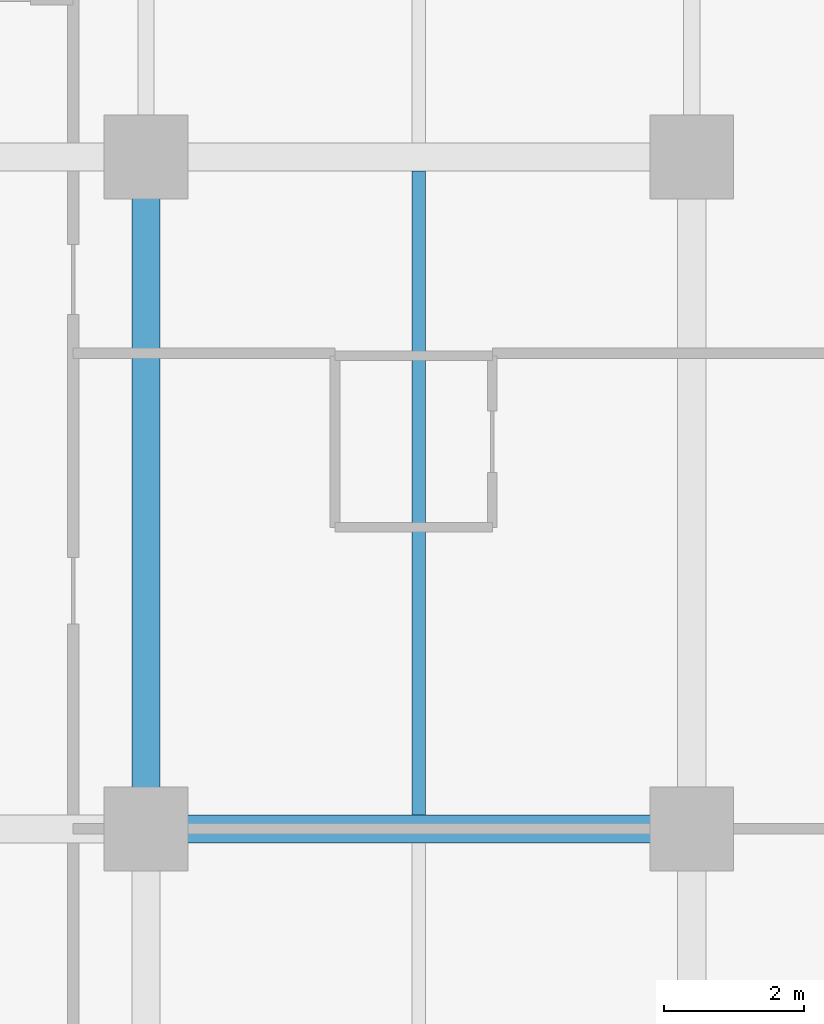
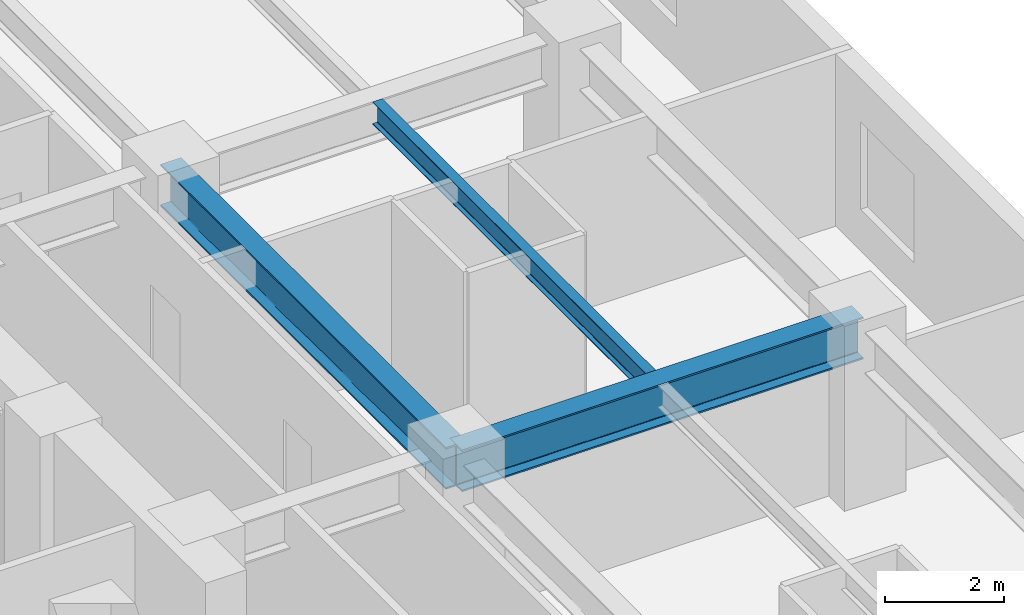
# One storey, part 2 of 11: 3 beams.
"""IFC4 building model written with IfcOpenShell, lengths in metres."""

from ifc_helpers import new_model, si_unit, direction, frame, origin, origin_2d, place, context, subcontext, project, spatial, i_section, extrude, material, material_profile, profile_set, type_object, element, save


model = new_model("IFC4")

# Units and contexts
model_context = context("Model", 3, precision=1e-05, world=origin(), true_north=direction((0.0, 1.0)))
body_context = subcontext(model_context, "Body", "Model", "MODEL_VIEW")
ifc_project = project(units=[si_unit("LENGTHUNIT", "METRE"), si_unit("AREAUNIT", "SQUARE_METRE"), si_unit("VOLUMEUNIT", "CUBIC_METRE"), si_unit("PLANEANGLEUNIT", "RADIAN"), si_unit("MASSUNIT", "GRAM", prefix="KILO")], contexts=[model_context])

# Site, building, storey
site_placement = place(None, origin())
site = spatial("IfcSite", under=ifc_project, at=site_placement, CompositionType="ELEMENT")
building_placement = place(site_placement, origin())
building = spatial("IfcBuilding", under=site, at=building_placement, Name="Kestravale Grand Hotel", CompositionType="ELEMENT")
storey_placement = place(building_placement, frame((0.0, 0.0, 114.60009765625)))
storey = spatial("IfcBuildingStorey", under=building, at=storey_placement, Name="L28", CompositionType="ELEMENT", Elevation=114.60009765625)

# Beams
ifc_material_1 = material(Name="Steel ASTM A992 Grade 50", Category="steel")
ifc_material_profile_1 = material_profile(ifc_material_1, i_section(OverallWidth=0.19091796875, OverallDepth=0.45703125, WebThickness=0.009033203125, FlangeThickness=0.014404296875, FilletRadius=0.015380859375, at=origin_2d()))
ifc_profile_set_1 = profile_set([ifc_material_profile_1], Name="Steel ASTM A992 Grade 50")
beam_type_1 = type_object("IfcBeamType", Name="B-FLR-JST18", PredefinedType="JOIST", material=ifc_profile_set_1)
beam_1_placement = place(storey_placement, frame((66.300048828125, 29.00048828125, 3.3115234375), z_axis=(0.0, 1.0, 0.0), x_axis=(-1.0, 0.0, 0.0)))
element("IfcBeam", 1, at=beam_1_placement, inside=storey, type_object=beam_type_1, Name="L28 floor joist 10-11/E-F #1", PredefinedType="JOIST", context=body_context, shape_type="SweptSolid", body=[
    extrude(i_section(OverallWidth=0.19091796875, OverallDepth=0.45703125, WebThickness=0.009033203125, FlangeThickness=0.014404296875, FilletRadius=0.015380859375, at=origin_2d()), origin(), (0.0, 0.0, 1.0), 9.198974609375),
])
ifc_material_2 = material(Name="Steel ASTM A992 Grade 50", Category="steel")
ifc_material_profile_2 = material_profile(ifc_material_2, i_section(OverallWidth=0.40087890625, OverallDepth=0.861083984375, WebThickness=0.019775390625, FlangeThickness=0.032470703125, FilletRadius=0.0234375, at=origin_2d()))
ifc_profile_set_2 = profile_set([ifc_material_profile_2], Name="Steel ASTM A992 Grade 50")
beam_type_2 = type_object("IfcBeamType", Name="B-GRD-W33", PredefinedType="BEAM", material=ifc_profile_set_2)
beam_2_placement = place(storey_placement, frame((62.39990234375, 28.800048828125, 3.109375), z_axis=(1.0, 0.0, 0.0), x_axis=(0.0, 1.0, 0.0)))
element("IfcBeam", 2, at=beam_2_placement, inside=storey, type_object=beam_type_2, Name="L28 girder E:10-11", PredefinedType="BEAM", context=body_context, shape_type="SweptSolid", body=[
    extrude(i_section(OverallWidth=0.40087890625, OverallDepth=0.861083984375, WebThickness=0.019775390625, FlangeThickness=0.032470703125, FilletRadius=0.0234375, at=origin_2d()), origin(), (0.0, 0.0, 1.0), 7.800048828125),
])
beam_3_placement = place(storey_placement, frame((62.39990234375, 28.800048828125, 3.109375), z_axis=(0.0, 1.0, 0.0), x_axis=(-1.0, 0.0, 0.0)))
element("IfcBeam", 3, at=beam_3_placement, inside=storey, type_object=beam_type_2, Name="L28 girder 10:E-F", PredefinedType="BEAM", context=body_context, shape_type="SweptSolid", body=[
    extrude(i_section(OverallWidth=0.40087890625, OverallDepth=0.861083984375, WebThickness=0.019775390625, FlangeThickness=0.032470703125, FilletRadius=0.0234375, at=origin_2d()), origin(), (0.0, 0.0, 1.0), 9.599853515625),
])

save(model, "model.ifc")
